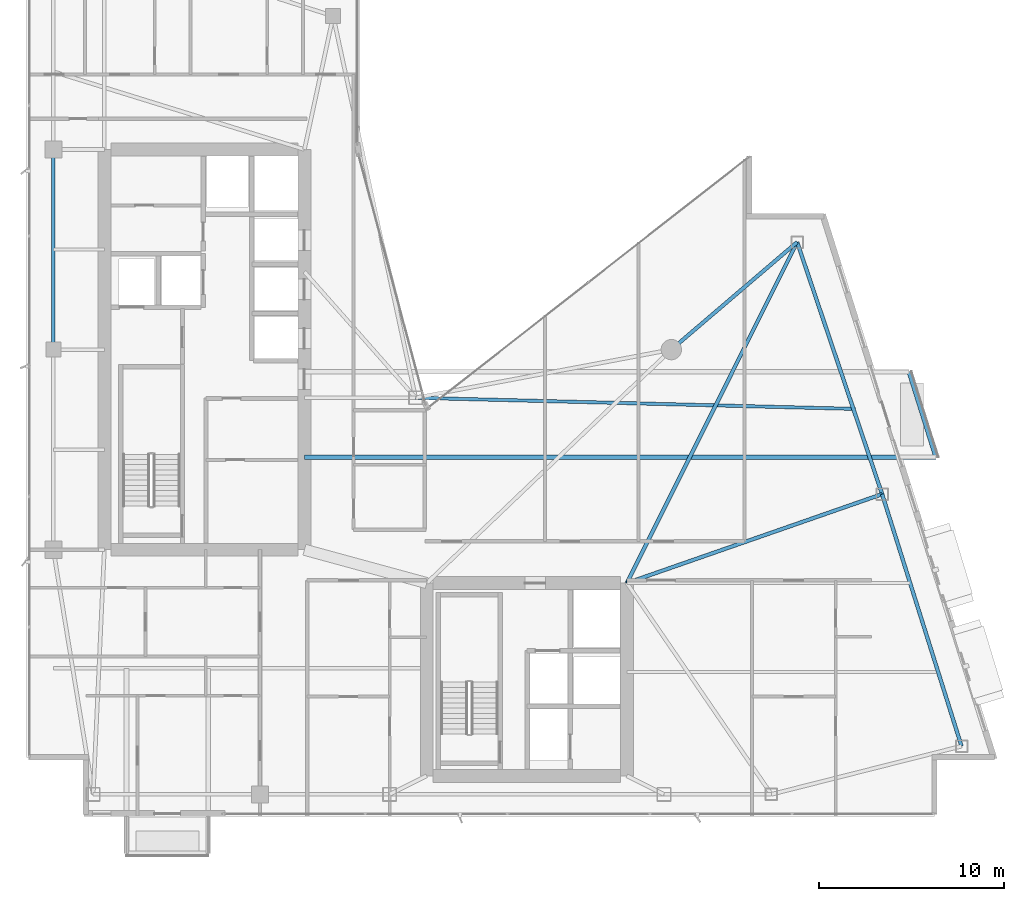
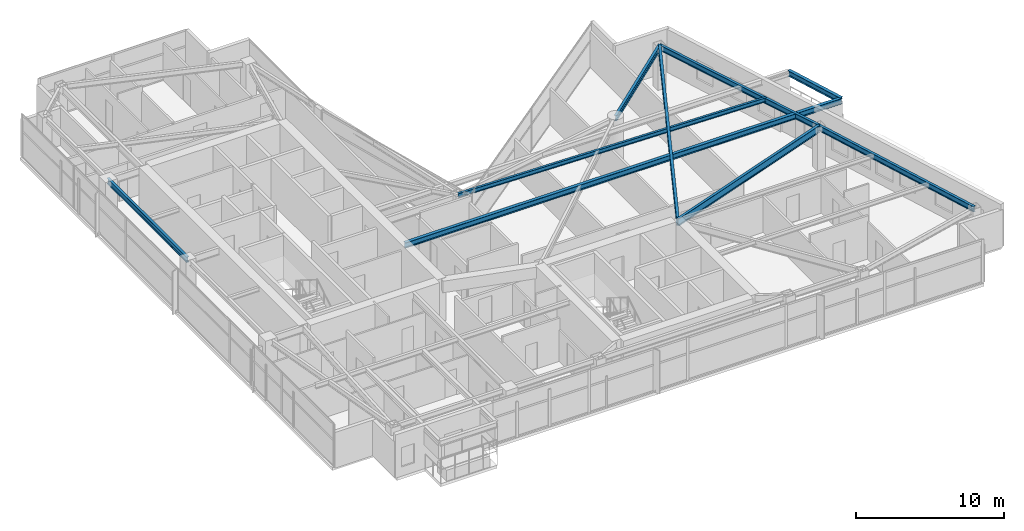
# One storey, part 16 of 30: 9 beams.
"""IFC4 building model written with IfcOpenShell, lengths in metres."""

from ifc_helpers import new_model, si_unit, direction, frame, origin, origin_2d, place, context, subcontext, project, spatial, i_section, extrude, material, material_profile, profile_set, type_object, element, save


model = new_model("IFC4")

# Units and contexts
model_context = context("Model", 3, precision=1e-05, world=origin(), true_north=direction((0.0, 1.0)))
body_context = subcontext(model_context, "Body", "Model", "MODEL_VIEW")
ifc_project = project(units=[si_unit("LENGTHUNIT", "METRE"), si_unit("AREAUNIT", "SQUARE_METRE"), si_unit("VOLUMEUNIT", "CUBIC_METRE"), si_unit("PLANEANGLEUNIT", "RADIAN"), si_unit("MASSUNIT", "GRAM", prefix="KILO")], contexts=[model_context])

# Site, building, storey
site_placement = place(None, origin())
site = spatial("IfcSite", under=ifc_project, at=site_placement, CompositionType="ELEMENT")
building_placement = place(site_placement, origin())
building = spatial("IfcBuilding", under=site, at=building_placement, Name="Calvorn Quay Hotel", CompositionType="ELEMENT")
storey_placement = place(building_placement, frame((0.0, 0.0, 207.199951171875)))
storey = spatial("IfcBuildingStorey", under=building, at=storey_placement, Name="L51", CompositionType="ELEMENT", Elevation=207.199951171875)

# Beams
ifc_material_1 = material(Name="Steel Q355B", Category="steel")
ifc_material_profile_1 = material_profile(ifc_material_1, i_section(OverallWidth=0.25, OverallDepth=0.449951171875, WebThickness=0.011962890625, FlangeThickness=0.01611328125, FilletRadius=0.01611328125, at=origin_2d()), Name="HN450x250x12x16")
ifc_profile_set_1 = profile_set([ifc_material_profile_1], Name="Steel Q355B")
beam_type_1 = type_object("IfcBeamType", Name="BM-CANT-BALC", PredefinedType="BEAM", material=ifc_profile_set_1)
beam_1_placement = place(storey_placement, frame((15.0, 21.800048828125, 3.31494140625), z_axis=(1.0, 0.0, 0.0), x_axis=(0.0, 1.0, 0.0)))
element("IfcBeam", 1, at=beam_1_placement, inside=storey, type_object=beam_type_1, Name="Cantilever Balcony Beam BCB-L52-1A", PredefinedType="BEAM", context=body_context, shape_type="SweptSolid", body=[
    extrude(i_section(OverallWidth=0.25, OverallDepth=0.449951171875, WebThickness=0.011962890625, FlangeThickness=0.01611328125, FilletRadius=0.01611328125, at=origin_2d()), origin(), (0.0, 0.0, 1.0), 34.0859375),
])
beam_2_placement = place(storey_placement, frame((49.0859375, 21.800048828125, 3.31494140625), z_axis=(-0.300450487966, 0.953797412599, 0.0), x_axis=(-0.953797412599, -0.300450487966, 0.0)))
element("IfcBeam", 2, at=beam_2_placement, inside=storey, type_object=beam_type_1, Name="Beam BCBO-L52-1", PredefinedType="BEAM", context=body_context, shape_type="SweptSolid", body=[
    extrude(i_section(OverallWidth=0.25, OverallDepth=0.449951171875, WebThickness=0.011962890625, FlangeThickness=0.01611328125, FilletRadius=0.01611328125, at=origin_2d()), origin(), (0.0, 0.0, 1.0), 4.82275390625),
])
ifc_material_2 = material(Name="Steel Q355B", Category="steel")
ifc_material_profile_2 = material_profile(ifc_material_2, i_section(OverallWidth=0.199951171875, OverallDepth=0.60009765625, WebThickness=0.010986328125, FlangeThickness=0.01708984375, FilletRadius=0.01806640625, at=origin_2d()), Name="HN600x200x11x17")
ifc_profile_set_2 = profile_set([ifc_material_profile_2], Name="Steel Q355B")
beam_type_2 = type_object("IfcBeamType", Name="BM-GIRD-TYP", PredefinedType="BEAM", material=ifc_profile_set_2)
beam_3_placement = place(storey_placement, frame((32.39990234375, 15.0, 3.239990234375), z_axis=(0.944318977239, 0.329031410699, 0.0), x_axis=(-0.329031410699, 0.944318977239, 0.0)))
element("IfcBeam", 3, at=beam_3_placement, inside=storey, type_object=beam_type_2, Name="Beam BG-L51-E2", PredefinedType="BEAM", context=body_context, shape_type="SweptSolid", body=[
    extrude(i_section(OverallWidth=0.199951171875, OverallDepth=0.60009765625, WebThickness=0.010986328125, FlangeThickness=0.01708984375, FilletRadius=0.01806640625, at=origin_2d()), origin(), (0.0, 0.0, 1.0), 14.58837890625),
])
beam_4_placement = place(storey_placement, frame((32.39990234375, 15.0, 3.239990234375), z_axis=(0.446871705446, 0.894598054364, 0.0), x_axis=(-0.894598054364, 0.446871705446, 0.0)))
element("IfcBeam", 4, at=beam_4_placement, inside=storey, type_object=beam_type_2, Name="Beam BG-L51-E3", PredefinedType="BEAM", context=body_context, shape_type="SweptSolid", body=[
    extrude(i_section(OverallWidth=0.199951171875, OverallDepth=0.60009765625, WebThickness=0.010986328125, FlangeThickness=0.01708984375, FilletRadius=0.01806640625, at=origin_2d()), origin(), (0.0, 0.0, 1.0), 20.56787109375),
])
ifc_material_3 = material(Name="Steel Q355B", Category="steel")
ifc_material_profile_3 = material_profile(ifc_material_3, i_section(OverallWidth=0.175048828125, OverallDepth=0.35009765625, WebThickness=0.007080078125, FlangeThickness=0.010986328125, FilletRadius=0.013916015625, at=origin_2d()), Name="HN350x175x7x11")
ifc_profile_set_3 = profile_set([ifc_material_profile_3], Name="Steel Q355B")
beam_type_3 = type_object("IfcBeamType", Name="BM-JOIST-SEC", PredefinedType="JOIST", material=ifc_profile_set_3)
beam_5_placement = place(storey_placement, frame((21.0, 25.0, 3.364990234375), z_axis=(0.999680318096, -0.025283623381, 0.0), x_axis=(0.025283623381, 0.999680318096, 0.0)))
element("IfcBeam", 5, at=beam_5_placement, inside=storey, type_object=beam_type_3, Name="Beam BJ-L51-E3", PredefinedType="JOIST", context=body_context, shape_type="SweptSolid", body=[
    extrude(i_section(OverallWidth=0.175048828125, OverallDepth=0.35009765625, WebThickness=0.007080078125, FlangeThickness=0.010986328125, FilletRadius=0.013916015625, at=origin_2d()), origin(), (0.0, 0.0, 1.0), 23.734619140625),
])
ifc_material_4 = material(Name="Steel Q355B", Category="steel")
ifc_material_profile_4 = material_profile(ifc_material_4, i_section(OverallWidth=0.199951171875, OverallDepth=0.449951171875, WebThickness=0.009033203125, FlangeThickness=0.013916015625, FilletRadius=0.01611328125, at=origin_2d()), Name="HN450x200x9x14")
ifc_profile_set_4 = profile_set([ifc_material_profile_4], Name="Steel Q355B")
beam_type_4 = type_object("IfcBeamType", Name="BM-SPANDREL-Z3", PredefinedType="SPANDREL", material=ifc_profile_set_4)
beam_6_placement = place(storey_placement, frame((1.449951171875, 27.60009765625, 3.31494140625), z_axis=(0.0, 1.0, 0.0), x_axis=(-1.0, 0.0, 0.0)))
element("IfcBeam", 6, at=beam_6_placement, inside=storey, type_object=beam_type_4, Name="Beam BSP-L51-W3", PredefinedType="SPANDREL", context=body_context, shape_type="SweptSolid", body=[
    extrude(i_section(OverallWidth=0.199951171875, OverallDepth=0.449951171875, WebThickness=0.009033203125, FlangeThickness=0.013916015625, FilletRadius=0.01611328125, at=origin_2d()), origin(), (0.0, 0.0, 1.0), 10.7998046875),
])
beam_7_placement = place(storey_placement, frame((50.4609375, 6.199951171875, 3.31494140625), z_axis=(-0.300502802767, 0.953780931624, 0.0), x_axis=(-0.953780931624, -0.300502802767, 0.0)))
element("IfcBeam", 7, at=beam_7_placement, inside=storey, type_object=beam_type_4, Name="Beam BSP-L51-E1", PredefinedType="SPANDREL", context=body_context, shape_type="SweptSolid", body=[
    extrude(i_section(OverallWidth=0.199951171875, OverallDepth=0.449951171875, WebThickness=0.009033203125, FlangeThickness=0.013916015625, FilletRadius=0.01611328125, at=origin_2d()), origin(), (0.0, 0.0, 1.0), 14.259033203125),
])
beam_8_placement = place(storey_placement, frame((46.176025390625, 19.800048828125, 3.31494140625), z_axis=(-0.319466515944, 0.947597564998, 0.0), x_axis=(-0.947597564998, -0.319466515944, 0.0)))
element("IfcBeam", 8, at=beam_8_placement, inside=storey, type_object=beam_type_4, Name="Beam BSP-L51-E2", PredefinedType="SPANDREL", context=body_context, shape_type="SweptSolid", body=[
    extrude(i_section(OverallWidth=0.199951171875, OverallDepth=0.449951171875, WebThickness=0.009033203125, FlangeThickness=0.013916015625, FilletRadius=0.01611328125, at=origin_2d()), origin(), (0.0, 0.0, 1.0), 14.35205078125),
])
beam_9_placement = place(storey_placement, frame((41.591064453125, 33.39990234375, 3.31494140625), z_axis=(-0.760420928616, -0.64943052848, 0.0), x_axis=(0.64943052848, -0.760420928616, 0.0)))
element("IfcBeam", 9, at=beam_9_placement, inside=storey, type_object=beam_type_4, Name="Beam BSP-L51-E3", PredefinedType="SPANDREL", context=body_context, shape_type="SweptSolid", body=[
    extrude(i_section(OverallWidth=0.199951171875, OverallDepth=0.449951171875, WebThickness=0.009033203125, FlangeThickness=0.013916015625, FilletRadius=0.01611328125, at=origin_2d()), origin(), (0.0, 0.0, 1.0), 8.9306640625),
])

save(model, "model.ifc")
